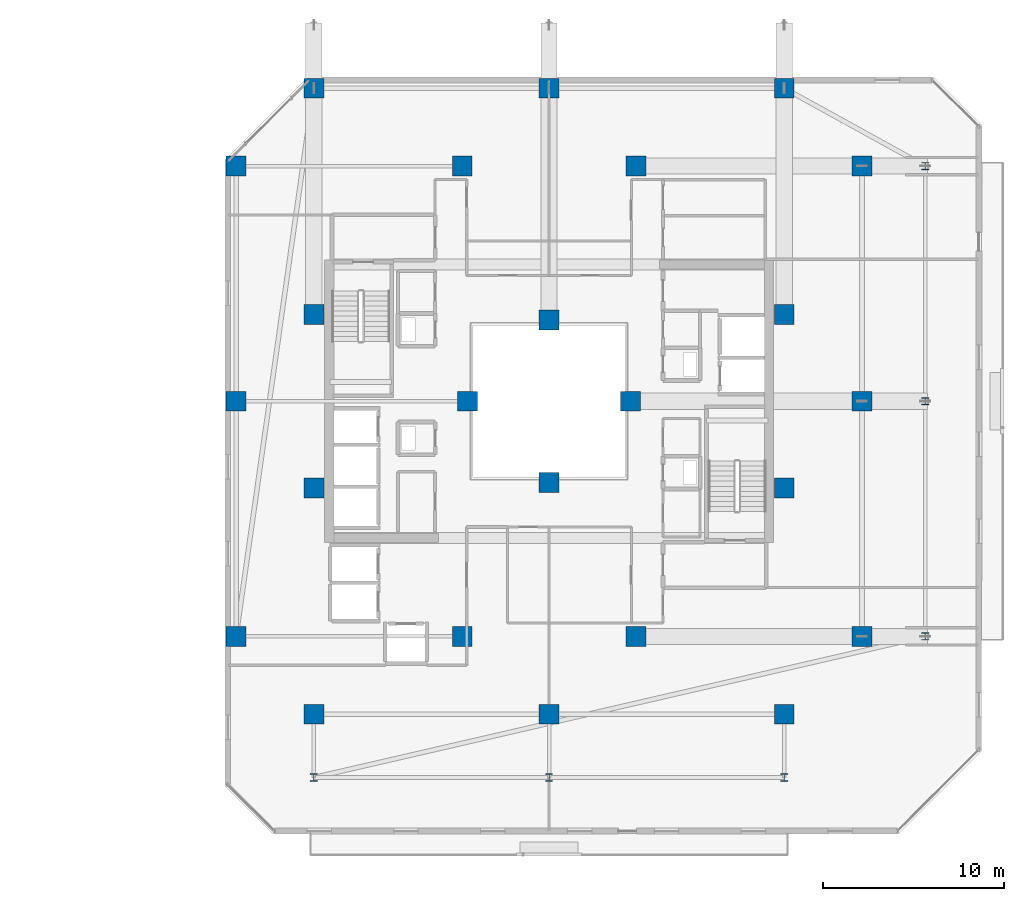
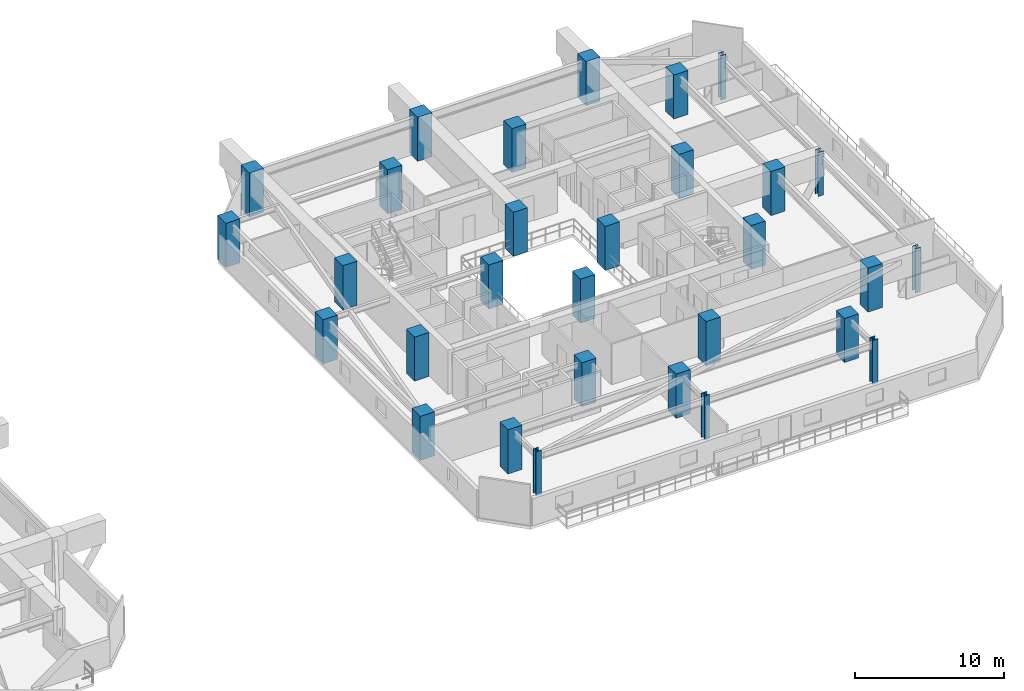
# One storey, part 2 of 35: 30 columns.
"""IFC4 building model written with IfcOpenShell, lengths in metres."""

from ifc_helpers import new_model, si_unit, direction, frame, origin, origin_2d, place, context, subcontext, project, spatial, rectangle, i_section, extrude, material, material_profile, profile_set, type_object, element, save


model = new_model("IFC4")

# Units and contexts
model_context = context("Model", 3, precision=1e-05, world=origin(), true_north=direction((0.0, 1.0)))
body_context = subcontext(model_context, "Body", "Model", "MODEL_VIEW")
ifc_project = project(units=[si_unit("LENGTHUNIT", "METRE"), si_unit("AREAUNIT", "SQUARE_METRE"), si_unit("VOLUMEUNIT", "CUBIC_METRE"), si_unit("PLANEANGLEUNIT", "RADIAN"), si_unit("MASSUNIT", "GRAM", prefix="KILO")], contexts=[model_context])

# Site, building, storey
site_placement = place(None, origin())
site = spatial("IfcSite", under=ifc_project, at=site_placement, CompositionType="ELEMENT")
building_placement = place(site_placement, origin())
building = spatial("IfcBuilding", under=site, at=building_placement, Name="Thornwick Lancets Civic Towers", CompositionType="ELEMENT")
storey_placement = place(building_placement, frame((0.0, 0.0, 145.5)))
storey = spatial("IfcBuildingStorey", under=building, at=storey_placement, Name="L38", CompositionType="ELEMENT", Elevation=145.5)

# Columns
ifc_material_1 = material(Name="Concrete C50/60", Category="concrete")
ifc_material_profile_1 = material_profile(ifc_material_1, rectangle(XDim=1.10009765625, YDim=1.10009765625, at=origin_2d()), Name="RC 1100x1100")
ifc_profile_set_1 = profile_set([ifc_material_profile_1], Name="Concrete C50/60")
column_type_1 = type_object("IfcColumnType", Name="COL_RC_1100", PredefinedType="COLUMN", material=ifc_profile_set_1)
for number, where, z_axis, x_axis, name in (
    (1, (105.800048828125, 14.0, 0.0), (0.0, 0.0, 1.0), (1.0, 0.0, 0.0), "L38 Spine Mega-Column B01"),
    (2, (105.800048828125, 27.0, 0.0), (0.0, 0.0, 1.0), (1.0, 0.0, 0.0), "L38 Spine Mega-Column B02"),
    (3, (105.800048828125, 40.0, 0.0), (0.0, 0.0, 1.0), (1.0, 0.0, 0.0), "L38 Spine Mega-Column B03"),
    (4, (101.5, 44.300048828125, 0.0), (0.0, 0.0, 1.0), (1.0, 0.0, 0.0), "L38 Spine Mega-Column B04"),
    (5, (88.5, 44.300048828125, 0.0), (0.0, 0.0, 1.0), (1.0, 0.0, 0.0), "L38 Spine Mega-Column B05"),
    (6, (75.5, 44.300048828125, 0.0), (0.0, 0.0, 1.0), (1.0, 0.0, 0.0), "L38 Spine Mega-Column B06"),
    (7, (71.199951171875, 14.0, 0.0), (0.0, 0.0, 1.0), (1.0, 0.0, 0.0), "L38 Spine Mega-Column B07"),
    (8, (71.199951171875, 27.0, 0.0), (0.0, 0.0, 1.0), (1.0, 0.0, 0.0), "L38 Spine Mega-Column B08"),
    (9, (71.199951171875, 40.0, 0.0), (0.0, 0.0, 1.0), (1.0, 0.0, 0.0), "L38 Spine Mega-Column B09"),
    (10, (101.5, 9.699951171875, 0.0), (0.0, 0.0, 1.0), (1.0, 0.0, 0.0), "L38 Spine Mega-Column B10"),
    (11, (88.5, 9.699951171875, 0.0), (0.0, 0.0, 1.0), (1.0, 0.0, 0.0), "L38 Spine Mega-Column B11"),
    (12, (75.5, 9.699951171875, 0.0), (0.0, 0.0, 1.0), (1.0, 0.0, 0.0), "L38 Spine Mega-Column B12"),
    (13, (93.300048828125, 14.0, 0.0), (0.0, 0.0, 1.0), (1.0, 0.0, 0.0), "L38 Spine Mega-Column B13"),
    (14, (93.300048828125, 40.0, 0.0), (0.0, 0.0, 1.0), (1.0, 0.0, 0.0), "L38 Spine Mega-Column B14"),
    (15, (83.699951171875, 14.0, 0.0), (0.0, 0.0, 1.0), (1.0, 0.0, 0.0), "L38 Spine Mega-Column B15"),
    (16, (83.699951171875, 40.0, 0.0), (0.0, 0.0, 1.0), (1.0, 0.0, 0.0), "L38 Spine Mega-Column B16"),
    (17, (101.5, 22.199951171875, 0.0), (0.0, 0.0, 1.0), (1.0, 0.0, 0.0), "L38 Spine Mega-Column B17"),
    (18, (101.5, 31.800048828125, 0.0), (0.0, 0.0, 1.0), (1.0, 0.0, 0.0), "L38 Spine Mega-Column B18"),
    (19, (75.5, 22.199951171875, 0.0), (0.0, 0.0, 1.0), (1.0, 0.0, 0.0), "L38 Spine Mega-Column B19"),
    (20, (75.5, 31.800048828125, 0.0), (0.0, 0.0, 1.0), (1.0, 0.0, 0.0), "L38 Spine Mega-Column B20"),
    (21, (93.0, 27.0, 0.0), (0.0, 0.0, 1.0), (1.0, 0.0, 0.0), "L38 Spine Mega-Column B21"),
    (22, (84.0, 27.0, 0.0), (0.0, 0.0, 1.0), (1.0, 0.0, 0.0), "L38 Spine Mega-Column B22"),
    (23, (88.5, 22.5, 0.0), (0.0, 0.0, 1.0), (1.0, 0.0, 0.0), "L38 Spine Mega-Column B23"),
    (24, (88.5, 31.5, 0.0), (0.0, 0.0, 1.0), (1.0, 0.0, 0.0), "L38 Spine Mega-Column B24"),
):
    element("IfcColumn", number, at=place(storey_placement, frame(where, z_axis=z_axis, x_axis=x_axis)), inside=storey, type_object=column_type_1, Name=name, PredefinedType="COLUMN", context=body_context, shape_type="SweptSolid", body=[
        extrude(rectangle(XDim=1.10009765625, YDim=1.10009765625, at=origin_2d()), origin(), (0.0, 0.0, 1.0), 3.60009765625),
    ])
ifc_material_2 = material(Name="Steel S460M", Category="steel")
ifc_material_profile_2 = material_profile(ifc_material_2, i_section(OverallWidth=0.406982421875, OverallDepth=0.4189453125, WebThickness=0.030517578125, FlangeThickness=0.04931640625, FilletRadius=0.01513671875, at=origin_2d()), Name="UKC 356x406x393")
ifc_profile_set_2 = profile_set([ifc_material_profile_2], Name="Steel S460M")
column_type_2 = type_object("IfcColumnType", Name="COL_UKC_393", PredefinedType="COLUMN", material=ifc_profile_set_2)
for number, where, z_axis, x_axis, name in (
    (25, (109.300048828125, 14.0, 0.0), (0.0, 0.0, 1.0), (1.0, 0.0, 0.0), "L38 Block Perimeter Column B01"),
    (26, (109.300048828125, 27.0, 0.0), (0.0, 0.0, 1.0), (1.0, 0.0, 0.0), "L38 Block Perimeter Column B02"),
    (27, (109.300048828125, 40.0, 0.0), (0.0, 0.0, 1.0), (1.0, 0.0, 0.0), "L38 Block Perimeter Column B03"),
    (28, (101.5, 6.199951171875, 0.0), (0.0, 0.0, 1.0), (1.0, 0.0, 0.0), "L38 Block Perimeter Column B10"),
    (29, (88.5, 6.199951171875, 0.0), (0.0, 0.0, 1.0), (1.0, 0.0, 0.0), "L38 Block Perimeter Column B11"),
    (30, (75.5, 6.199951171875, 0.0), (0.0, 0.0, 1.0), (1.0, 0.0, 0.0), "L38 Block Perimeter Column B12"),
):
    element("IfcColumn", number, at=place(storey_placement, frame(where, z_axis=z_axis, x_axis=x_axis)), inside=storey, type_object=column_type_2, Name=name, PredefinedType="COLUMN", context=body_context, shape_type="SweptSolid", body=[
        extrude(i_section(OverallWidth=0.406982421875, OverallDepth=0.4189453125, WebThickness=0.030517578125, FlangeThickness=0.04931640625, FilletRadius=0.01513671875, at=origin_2d()), origin(), (0.0, 0.0, 1.0), 3.60009765625),
    ])

save(model, "model.ifc")
